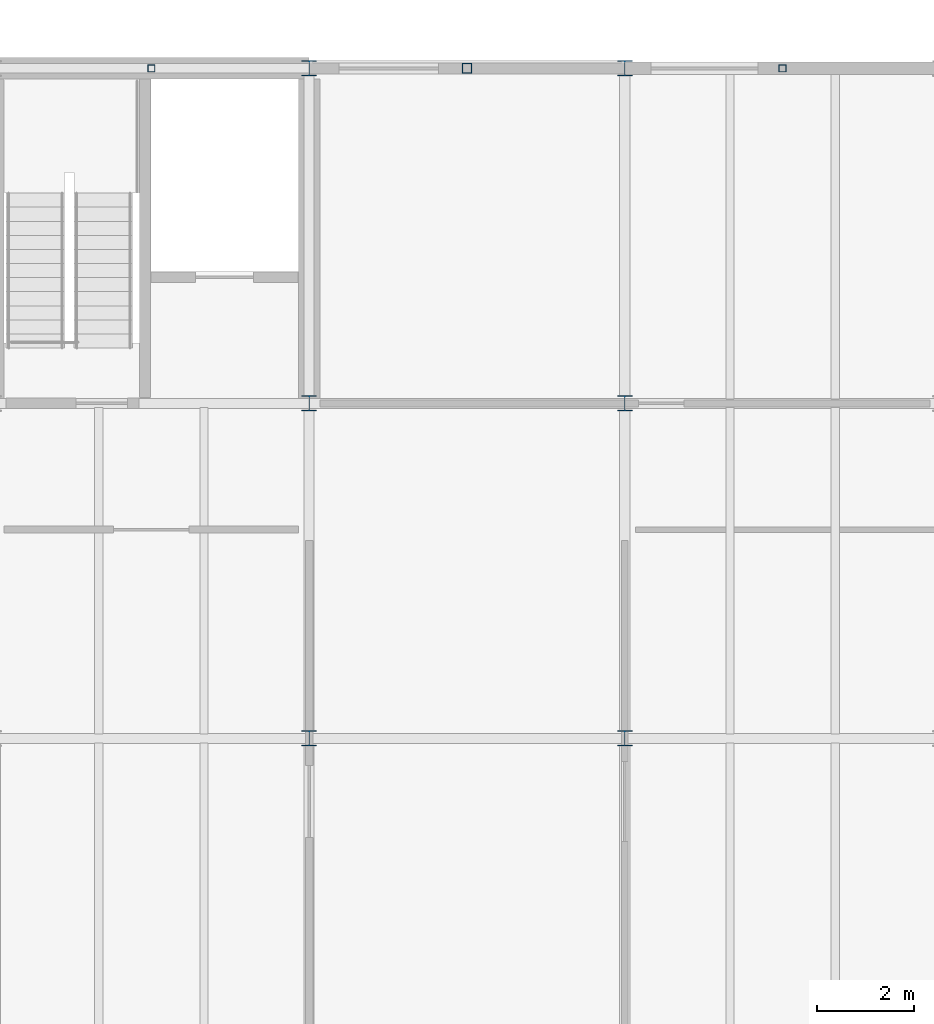
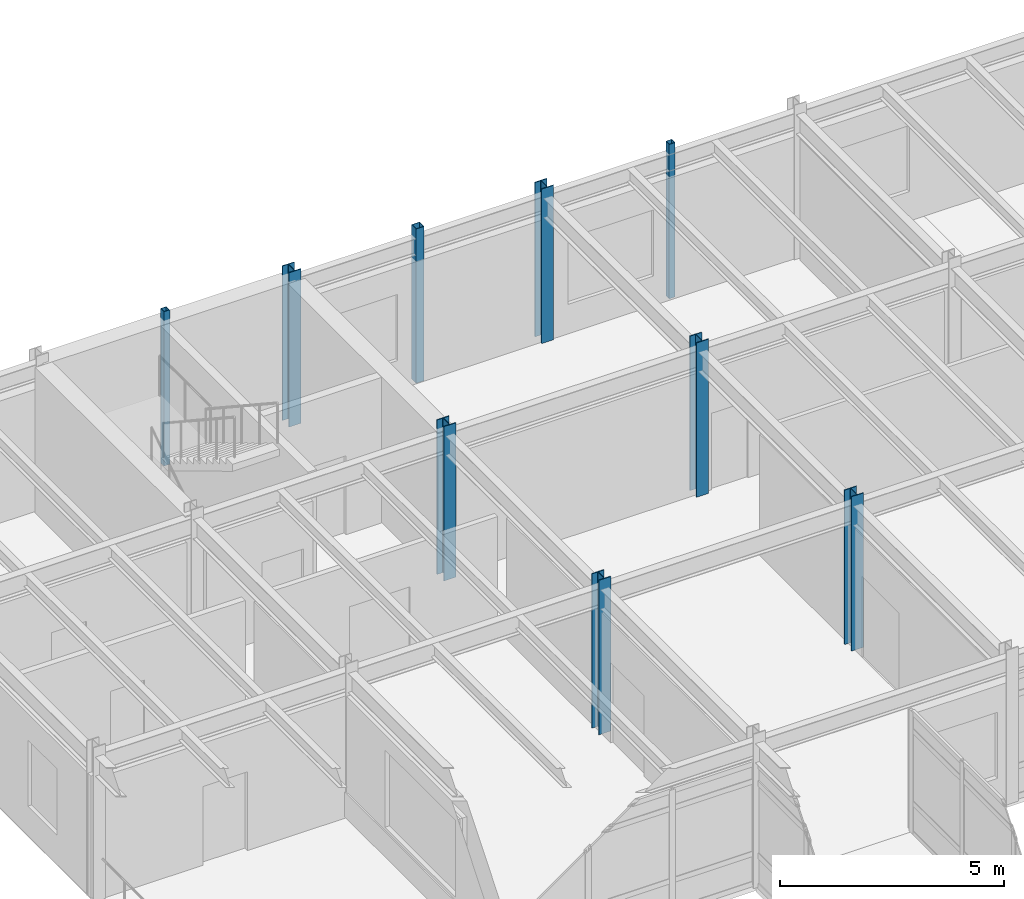
# One storey, part 16 of 144: 9 columns.
"""IFC4 building model written with IfcOpenShell, lengths in metres."""

from ifc_helpers import new_model, si_unit, direction, frame, origin, origin_2d, place, context, subcontext, project, spatial, hollow_rectangle, i_section, extrude, material, material_profile, profile_set, type_object, element, save


model = new_model("IFC4")

# Units and contexts
model_context = context("Model", 3, precision=1e-05, world=origin(), true_north=direction((0.0, 1.0)))
body_context = subcontext(model_context, "Body", "Model", "MODEL_VIEW")
ifc_project = project(units=[si_unit("LENGTHUNIT", "METRE"), si_unit("AREAUNIT", "SQUARE_METRE"), si_unit("VOLUMEUNIT", "CUBIC_METRE"), si_unit("PLANEANGLEUNIT", "RADIAN"), si_unit("MASSUNIT", "GRAM", prefix="KILO")], contexts=[model_context])

# Site, building, storey
site_placement = place(None, origin())
site = spatial("IfcSite", under=ifc_project, at=site_placement, CompositionType="ELEMENT")
building_placement = place(site_placement, origin())
building = spatial("IfcBuilding", under=site, at=building_placement, Name="Trelmorton Wharf Fire Station", CompositionType="ELEMENT")
storey_placement = place(building_placement, frame((0.0, 0.0, 5.39990234375)))
storey = spatial("IfcBuildingStorey", under=building, at=storey_placement, Name="L01", CompositionType="ELEMENT", Elevation=5.39990234375)

# Columns
ifc_material_1 = material(Name="Steel Grade 350", Category="steel")
ifc_material_profile_1 = material_profile(ifc_material_1, i_section(OverallWidth=0.30908203125, OverallDepth=0.321044921875, WebThickness=0.013916015625, FlangeThickness=0.021728515625, FilletRadius=0.0166015625, at=origin_2d()), Name="310UC137")
ifc_profile_set_1 = profile_set([ifc_material_profile_1], Name="Steel Grade 350")
column_type_1 = type_object("IfcColumnType", Name="COL_310UC137", PredefinedType="COLUMN", material=ifc_profile_set_1)
for number, where, z_axis, x_axis, name in (
    (1, (117.0, 67.199951171875, 0.0), (0.0, 0.0, 1.0), (1.0, 0.0, 0.0), "COL-L01-0399"),
    (2, (117.0, 74.10009765625, 0.0), (0.0, 0.0, 1.0), (1.0, 0.0, 0.0), "COL-L01-0400"),
    (3, (117.0, 81.0, 0.0), (0.0, 0.0, 1.0), (1.0, 0.0, 0.0), "COL-L01-0401"),
    (4, (123.5, 67.199951171875, 0.0), (0.0, 0.0, 1.0), (1.0, 0.0, 0.0), "COL-L01-0410"),
    (5, (123.5, 74.10009765625, 0.0), (0.0, 0.0, 1.0), (1.0, 0.0, 0.0), "COL-L01-0411"),
    (6, (123.5, 81.0, 0.0), (0.0, 0.0, 1.0), (1.0, 0.0, 0.0), "COL-L01-0412"),
):
    element("IfcColumn", number, at=place(storey_placement, frame(where, z_axis=z_axis, x_axis=x_axis)), inside=storey, type_object=column_type_1, Name=name, PredefinedType="COLUMN", context=body_context, shape_type="SweptSolid", body=[
        extrude(i_section(OverallWidth=0.30908203125, OverallDepth=0.321044921875, WebThickness=0.013916015625, FlangeThickness=0.021728515625, FilletRadius=0.0166015625, at=origin_2d()), origin(), (0.0, 0.0, 1.0), 4.2001953125),
    ])
ifc_material_2 = material(Name="Steel C350L0 (350 MPa)", Category="steel")
ifc_material_profile_2 = material_profile(ifc_material_2, hollow_rectangle(XDim=0.14990234375, YDim=0.14990234375, WallThickness=0.009033203125, at=origin_2d()), Name="150x150x9.0SHS")
ifc_profile_set_2 = profile_set([ifc_material_profile_2], Name="Steel C350L0 (350 MPa)")
column_type_2 = type_object("IfcColumnType", Name="PIL_150SHS", PredefinedType="PILASTER", material=ifc_profile_set_2)
for number, where, z_axis, x_axis, name in (
    (7, (113.75, 81.0, 0.0), (0.0, 0.0, 1.0), (1.0, 0.0, 0.0), "PIL-N-L01-002"),
    (8, (126.75, 81.0, 0.0), (0.0, 0.0, 1.0), (1.0, 0.0, 0.0), "PIL-N-L01-018"),
):
    element("IfcColumn", number, at=place(storey_placement, frame(where, z_axis=z_axis, x_axis=x_axis)), inside=storey, type_object=column_type_2, Name=name, PredefinedType="PILASTER", context=body_context, shape_type="SweptSolid", body=[
        extrude(hollow_rectangle(XDim=0.14990234375, YDim=0.14990234375, WallThickness=0.009033203125, at=origin_2d()), origin(), (0.0, 0.0, 1.0), 4.2001953125),
    ])
ifc_material_profile_3 = material_profile(ifc_material_2, hollow_rectangle(XDim=0.199951171875, YDim=0.199951171875, WallThickness=0.010009765625, at=origin_2d()), Name="200x200x10.0SHS")
ifc_profile_set_3 = profile_set([ifc_material_profile_3], Name="Steel C350L0 (350 MPa)")
column_type_3 = type_object("IfcColumnType", Name="PIL_200SHS", PredefinedType="PILASTER", material=ifc_profile_set_3)
column_placement = place(storey_placement, frame((120.25, 81.0, 0.0), z_axis=(0.0, 0.0, 1.0), x_axis=(1.0, 0.0, 0.0)))
element("IfcColumn", 9, at=column_placement, inside=storey, type_object=column_type_3, Name="PIL-N-L01-010", PredefinedType="PILASTER", context=body_context, shape_type="SweptSolid", body=[
    extrude(hollow_rectangle(XDim=0.199951171875, YDim=0.199951171875, WallThickness=0.010009765625, at=origin_2d()), origin(), (0.0, 0.0, 1.0), 4.2001953125),
])

save(model, "model.ifc")
